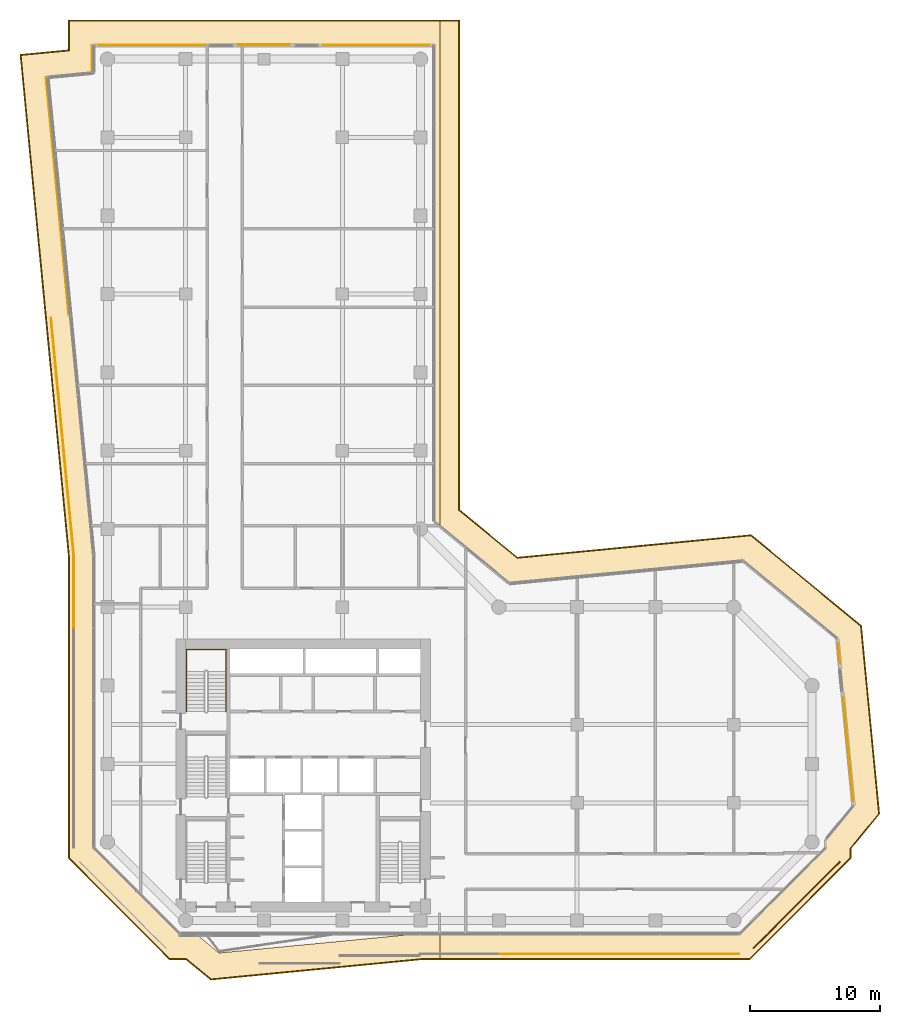
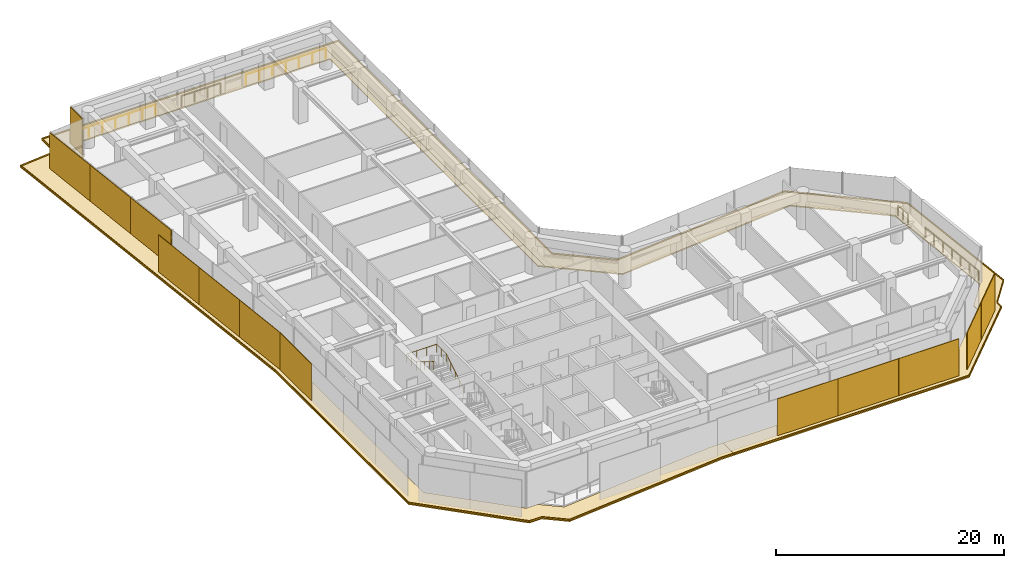
# One storey, part 28 of 28: 17 coverings, 6 railings.
"""IFC4 building model written with IfcOpenShell, lengths in metres."""

from ifc_helpers import new_model, si_unit, direction, frame, origin, origin_2d, place, context, subcontext, project, spatial, polyline, rectangle, circle, outline, extrude, material, layer, layer_set, type_object, element, save


model = new_model("IFC4")

# Units and contexts
model_context = context("Model", 3, precision=1e-05, world=origin(), true_north=direction((0.0, 1.0)))
body_context = subcontext(model_context, "Body", "Model", "MODEL_VIEW")
ifc_project = project(units=[si_unit("LENGTHUNIT", "METRE"), si_unit("AREAUNIT", "SQUARE_METRE"), si_unit("VOLUMEUNIT", "CUBIC_METRE"), si_unit("PLANEANGLEUNIT", "RADIAN"), si_unit("MASSUNIT", "GRAM", prefix="KILO")], contexts=[model_context])

# Site, building, storey
site_placement = place(None, origin())
site = spatial("IfcSite", under=ifc_project, at=site_placement, CompositionType="ELEMENT")
building_placement = place(site_placement, origin())
building = spatial("IfcBuilding", under=site, at=building_placement, Name="Welwitschia Terrace Campus", CompositionType="ELEMENT")
storey_placement = place(building_placement, frame((0.0, 0.0, 87.800048828125)))
storey = spatial("IfcBuildingStorey", under=building, at=storey_placement, Name="L19", CompositionType="ELEMENT", Elevation=87.800048828125)

# Coverings
ifc_material_1 = material(Name="Bronze mesh aluminium screen", Category="aluminium")
ifc_layer_1 = layer(ifc_material_1, 0.06005859375)
ifc_layer_set_1 = layer_set([ifc_layer_1], Name="Bronze mesh aluminium screen")
covering_type_1 = type_object("IfcCoveringType", Name="Bronze screen 60", PredefinedType="USERDEFINED", material=ifc_layer_set_1)
for number, where, z_axis, x_axis, name in (
    (1, (-4.405517578125, 65.575439453125, 0.0), (0.0, 0.0, 1.0), (0.09584575252, -0.995396198367, 0.0), "Screen L19.0.0"),
    (2, (-3.818359375, 59.476318359375, 0.0), (0.0, 0.0, 1.0), (0.09584575252, -0.995396198367, 0.0), "Screen L19.0.1"),
    (3, (-3.231201171875, 53.377197265625, 0.0), (0.0, 0.0, 1.0), (0.09584575252, -0.995396198367, 0.0), "Screen L19.0.2"),
):
    element("IfcCovering", number, at=place(storey_placement, frame(where, z_axis=z_axis, x_axis=x_axis)), inside=storey, type_object=covering_type_1, Name=name, ObjectType="SCREEN", PredefinedType="USERDEFINED", context=body_context, shape_type="SweptSolid", body=[
        extrude(rectangle(XDim=6.107421875, YDim=0.06005859375, at=origin_2d()), origin(), (0.0, 0.0, 1.0), 3.85009765625),
    ])
for number, where, z_axis, x_axis, name in (
    (4, (-4.033447265625, 47.144287109375, 0.0), (0.0, 0.0, 1.0), (0.09584575252, -0.995396198367, 0.0), "Screen L19.0.3"),
    (5, (-3.446044921875, 41.044921875, 0.0), (0.0, 0.0, 1.0), (0.09584575252, -0.995396198367, 0.0), "Screen L19.0.4"),
    (6, (-2.85888671875, 34.94580078125, 0.0), (0.0, 0.0, 1.0), (0.09584575252, -0.995396198367, 0.0), "Screen L19.0.5"),
):
    element("IfcCovering", number, at=place(storey_placement, frame(where, z_axis=z_axis, x_axis=x_axis)), inside=storey, type_object=covering_type_1, Name=name, ObjectType="SCREEN", PredefinedType="USERDEFINED", context=body_context, shape_type="SweptSolid", body=[
        extrude(rectangle(XDim=6.107421875, YDim=0.06005859375, at=origin_2d()), origin(), (0.0, 0.0, 1.0), 3.949951171875),
    ])
covering_1_placement = place(storey_placement, frame((-2.572021484375, 29.2275390625, 0.0), z_axis=(0.0, 0.0, 1.0), x_axis=(0.0, -1.0, 0.0)))
element("IfcCovering", 7, at=covering_1_placement, inside=storey, type_object=covering_type_1, Name="Screen L19.1.0", ObjectType="SCREEN", PredefinedType="USERDEFINED", context=body_context, shape_type="SweptSolid", body=[
    extrude(rectangle(XDim=5.60205078125, YDim=0.06005859375, at=origin_2d()), origin(), (0.0, 0.0, 1.0), 3.949951171875),
])
for number, where, z_axis, x_axis, name in (
    (8, (33.12841796875, 1.427978515625, 0.0), (0.0, 0.0, 1.0), (1.0, 0.0, 0.0), "Screen L19.3.4"),
    (9, (39.257080078125, 1.427978515625, 0.0), (0.0, 0.0, 1.0), (1.0, 0.0, 0.0), "Screen L19.3.5"),
    (10, (45.385498046875, 1.427978515625, 0.0), (0.0, 0.0, 1.0), (1.0, 0.0, 0.0), "Screen L19.3.6"),
):
    element("IfcCovering", number, at=place(storey_placement, frame(where, z_axis=z_axis, x_axis=x_axis)), inside=storey, type_object=covering_type_1, Name=name, ObjectType="SCREEN", PredefinedType="USERDEFINED", context=body_context, shape_type="SweptSolid", body=[
        extrude(rectangle(XDim=6.1083984375, YDim=0.06005859375, at=origin_2d()), origin(), (0.0, 0.0, 1.0), 3.949951171875),
    ])
for number, where, z_axis, x_axis, name in (
    (11, (51.15966796875, 3.522216796875, 0.0), (0.0, 0.0, 1.0), (0.707106781187, 0.707106781187, 0.0), "Screen L19.4.0"),
    (12, (54.477783203125, 6.84033203125, 0.0), (0.0, 0.0, 1.0), (0.707106781187, 0.707106781187, 0.0), "Screen L19.4.1"),
):
    element("IfcCovering", number, at=place(storey_placement, frame(where, z_axis=z_axis, x_axis=x_axis)), inside=storey, type_object=covering_type_1, Name=name, ObjectType="SCREEN", PredefinedType="USERDEFINED", context=body_context, shape_type="SweptSolid", body=[
        extrude(rectangle(XDim=4.672607421875, YDim=0.06005859375, at=origin_2d()), origin(), (0.0, 0.0, 1.0), 3.949951171875),
    ])
covering_2_placement = place(storey_placement, frame((-1.176025390625, 70.029541015625, 0.0), z_axis=(0.0, 0.0, 1.0), x_axis=(0.0, -1.0, 0.0)))
element("IfcCovering", 13, at=covering_2_placement, inside=storey, type_object=covering_type_1, Name="Screen L19.13.0", ObjectType="SCREEN", PredefinedType="USERDEFINED", context=body_context, shape_type="SweptSolid", body=[
    extrude(rectangle(XDim=2.093017578125, YDim=0.06005859375, at=origin_2d()), origin(), (0.0, 0.0, 1.0), 3.85009765625),
])

# Railings
ifc_material_2 = material(Name="Stainless steel grade 316", Category="steel")
railing_type_1 = type_object("IfcRailingType", Name="Guard 1100", PredefinedType="GUARDRAIL", material=ifc_material_2)
railing_1_placement = place(storey_placement, frame((-0.635986328125, 71.0859375, 0.0)))
element("IfcRailing", 14, at=railing_1_placement, inside=storey, type_object=railing_type_1, Name="Guard floor edge L19.0", PredefinedType="GUARDRAIL", context=body_context, shape_type="SweptSolid", body=[
    extrude(circle(Radius=0.02392578125, at=origin_2d()), frame((0.0, 0.0, 1.076171875), z_axis=(1.0, 0.0, 0.0), x_axis=(0.0, 1.0, 0.0)), (0.0, 0.0, 1.0), 8.064697265625),
    extrude(circle(Radius=0.02099609375, at=origin_2d()), origin(), (0.0, 0.0, 1.0), 1.052001953125),
    extrude(circle(Radius=0.02099609375, at=origin_2d()), frame((1.34423828125, 0.0, 0.0)), (0.0, 0.0, 1.0), 1.052001953125),
    extrude(circle(Radius=0.02099609375, at=origin_2d()), frame((2.688232421875, 0.0, 0.0)), (0.0, 0.0, 1.0), 1.052001953125),
    extrude(circle(Radius=0.02099609375, at=origin_2d()), frame((4.0322265625, 0.0, 0.0)), (0.0, 0.0, 1.0), 1.052001953125),
    extrude(circle(Radius=0.02099609375, at=origin_2d()), frame((5.37646484375, 0.0, 0.0)), (0.0, 0.0, 1.0), 1.052001953125),
    extrude(circle(Radius=0.02099609375, at=origin_2d()), frame((6.720703125, 0.0, 0.0)), (0.0, 0.0, 1.0), 1.052001953125),
    extrude(circle(Radius=0.02099609375, at=origin_2d()), frame((8.064697265625, 0.0, 0.0)), (0.0, 0.0, 1.0), 1.052001953125),
])
railing_2_placement = place(storey_placement, frame((10.0283203125, 71.0859375, 0.0)))
element("IfcRailing", 15, at=railing_2_placement, inside=storey, type_object=railing_type_1, Name="Guard floor edge L19.2", PredefinedType="GUARDRAIL", context=body_context, shape_type="SweptSolid", body=[
    extrude(circle(Radius=0.02392578125, at=origin_2d()), frame((0.0, 0.0, 1.076171875), z_axis=(1.0, 0.0, 0.0), x_axis=(0.0, 1.0, 0.0)), (0.0, 0.0, 1.0), 3.943359375),
    extrude(circle(Radius=0.02099609375, at=origin_2d()), origin(), (0.0, 0.0, 1.0), 1.052001953125),
    extrude(circle(Radius=0.02099609375, at=origin_2d()), frame((1.314453125, 0.0, 0.0)), (0.0, 0.0, 1.0), 1.052001953125),
    extrude(circle(Radius=0.02099609375, at=origin_2d()), frame((2.62890625, 0.0, 0.0)), (0.0, 0.0, 1.0), 1.052001953125),
    extrude(circle(Radius=0.02099609375, at=origin_2d()), frame((3.943359375, 0.0, 0.0)), (0.0, 0.0, 1.0), 1.052001953125),
])
railing_3_placement = place(storey_placement, frame((16.5712890625, 71.0859375, 0.0)))
element("IfcRailing", 16, at=railing_3_placement, inside=storey, type_object=railing_type_1, Name="Guard floor edge L19.3", PredefinedType="GUARDRAIL", context=body_context, shape_type="SweptSolid", body=[
    extrude(circle(Radius=0.02392578125, at=origin_2d()), frame((0.0, 0.0, 1.076171875), z_axis=(1.0, 0.0, 0.0), x_axis=(0.0, 1.0, 0.0)), (0.0, 0.0, 1.0), 8.064697265625),
    extrude(circle(Radius=0.02099609375, at=origin_2d()), origin(), (0.0, 0.0, 1.0), 1.052001953125),
    extrude(circle(Radius=0.02099609375, at=origin_2d()), frame((1.34423828125, 0.0, 0.0)), (0.0, 0.0, 1.0), 1.052001953125),
    extrude(circle(Radius=0.02099609375, at=origin_2d()), frame((2.688232421875, 0.0, 0.0)), (0.0, 0.0, 1.0), 1.052001953125),
    extrude(circle(Radius=0.02099609375, at=origin_2d()), frame((4.0322265625, 0.0, 0.0)), (0.0, 0.0, 1.0), 1.052001953125),
    extrude(circle(Radius=0.02099609375, at=origin_2d()), frame((5.37646484375, 0.0, 0.0)), (0.0, 0.0, 1.0), 1.052001953125),
    extrude(circle(Radius=0.02099609375, at=origin_2d()), frame((6.720703125, 0.0, 0.0)), (0.0, 0.0, 1.0), 1.052001953125),
    extrude(circle(Radius=0.02099609375, at=origin_2d()), frame((8.064697265625, 0.0, 0.0)), (0.0, 0.0, 1.0), 1.052001953125),
])
railing_4_placement = place(storey_placement, frame((56.003662109375, 25.20751953125, 0.0)))
element("IfcRailing", 17, at=railing_4_placement, inside=storey, type_object=railing_type_1, Name="Guard floor edge L19.4", PredefinedType="GUARDRAIL", context=body_context, shape_type="SweptSolid", body=[
    extrude(circle(Radius=0.02392578125, at=origin_2d()), frame((0.0, 0.0, 1.076171875), z_axis=(0.095858773594, -0.995394944494, 0.0), x_axis=(0.995394944494, 0.095858773594, 0.0)), (0.0, 0.0, 1.0), 1.525634765625),
    extrude(circle(Radius=0.02099609375, at=origin_2d()), origin(), (0.0, 0.0, 1.0), 1.052001953125),
    extrude(circle(Radius=0.02099609375, at=origin_2d()), frame((0.0732421875, -0.75927734375, 0.0)), (0.0, 0.0, 1.0), 1.052001953125),
    extrude(circle(Radius=0.02099609375, at=origin_2d()), frame((0.146240234375, -1.5185546875, 0.0)), (0.0, 0.0, 1.0), 1.052001953125),
])
railing_5_placement = place(storey_placement, frame((56.39892578125, 21.1015625, 0.0)))
element("IfcRailing", 18, at=railing_5_placement, inside=storey, type_object=railing_type_1, Name="Guard floor edge L19.5", PredefinedType="GUARDRAIL", context=body_context, shape_type="SweptSolid", body=[
    extrude(circle(Radius=0.02392578125, at=origin_2d()), frame((0.0, 0.0, 1.076171875), z_axis=(0.095844812879, -0.995396288844, 0.0), x_axis=(0.995396288844, 0.095844812879, 0.0)), (0.0, 0.0, 1.0), 7.975341796875),
    extrude(circle(Radius=0.02099609375, at=origin_2d()), origin(), (0.0, 0.0, 1.0), 1.052001953125),
    extrude(circle(Radius=0.02099609375, at=origin_2d()), frame((0.12744140625, -1.3232421875, 0.0)), (0.0, 0.0, 1.0), 1.052001953125),
    extrude(circle(Radius=0.02099609375, at=origin_2d()), frame((0.2548828125, -2.646240234375, 0.0)), (0.0, 0.0, 1.0), 1.052001953125),
    extrude(circle(Radius=0.02099609375, at=origin_2d()), frame((0.38232421875, -3.96923828125, 0.0)), (0.0, 0.0, 1.0), 1.052001953125),
    extrude(circle(Radius=0.02099609375, at=origin_2d()), frame((0.509521484375, -5.29248046875, 0.0)), (0.0, 0.0, 1.0), 1.052001953125),
    extrude(circle(Radius=0.02099609375, at=origin_2d()), frame((0.636962890625, -6.61572265625, 0.0)), (0.0, 0.0, 1.0), 1.052001953125),
    extrude(circle(Radius=0.02099609375, at=origin_2d()), frame((0.764404296875, -7.938720703125, 0.0)), (0.0, 0.0, 1.0), 1.052001953125),
])
ifc_material_3 = material(Name="Steel S355", Category="steel")
railing_type_2 = type_object("IfcRailingType", Name="Stair handrail 900", PredefinedType="HANDRAIL", material=ifc_material_3)
railing_6_placement = place(storey_placement, frame((9.10009765625, 20.0, 0.175048828125)))
element("IfcRailing", 19, at=railing_6_placement, inside=storey, type_object=railing_type_2, Name="L19 S4 stair handrail", PredefinedType="HANDRAIL", context=body_context, shape_type="SweptSolid", body=[
    extrude(circle(Radius=0.02392578125, at=origin_2d()), frame((0.0, 0.0, 0.8759765625), z_axis=(0.0, 0.848028513186, 0.529950602248), x_axis=(-1.0, 0.0, 0.0)), (0.0, 0.0, 1.0), 3.632080078125),
    extrude(circle(Radius=0.02392578125, at=origin_2d()), frame((0.0, 3.080078125, 2.80078125), z_axis=(0.0, 1.0, 0.0), x_axis=(-1.0, 0.0, 0.0)), (0.0, 0.0, 1.0), 1.669921875),
    extrude(circle(Radius=0.02392578125, at=origin_2d()), frame((0.0, 4.75, 2.80078125), z_axis=(-1.0, 0.0, 0.0), x_axis=(0.0, -1.0, 0.0)), (0.0, 0.0, 1.0), 3.050048828125),
    extrude(circle(Radius=0.02392578125, at=origin_2d()), frame((-3.050048828125, 4.75, 2.80078125), z_axis=(0.0, -0.99455077262, 0.104253348533), x_axis=(1.0, 0.0, 0.0)), (0.0, 0.0, 1.0), 1.678955078125),
    extrude(circle(Radius=0.02392578125, at=origin_2d()), frame((-3.050048828125, 3.080078125, 2.9755859375), z_axis=(0.0, -0.847998304005, 0.529998940003), x_axis=(1.0, 0.0, 0.0)), (0.0, 0.0, 1.0), 3.632080078125),
    extrude(circle(Radius=0.02099609375, at=origin_2d()), origin(), (0.0, 0.0, 1.0), 0.851806640625),
    extrude(circle(Radius=0.02099609375, at=origin_2d()), frame((0.0, 0.77001953125, 0.481201171875)), (0.0, 0.0, 1.0), 0.851806640625),
    extrude(circle(Radius=0.02099609375, at=origin_2d()), frame((0.0, 1.5400390625, 0.96240234375)), (0.0, 0.0, 1.0), 0.851806640625),
    extrude(circle(Radius=0.02099609375, at=origin_2d()), frame((0.0, 2.31005859375, 1.443603515625)), (0.0, 0.0, 1.0), 0.851806640625),
    extrude(circle(Radius=0.02099609375, at=origin_2d()), frame((0.0, 3.080078125, 1.9248046875)), (0.0, 0.0, 1.0), 0.851806640625),
    extrude(circle(Radius=0.02099609375, at=origin_2d()), frame((0.0, 3.9150390625, 1.9248046875)), (0.0, 0.0, 1.0), 0.851806640625),
    extrude(circle(Radius=0.02099609375, at=origin_2d()), frame((0.0, 4.75, 1.9248046875)), (0.0, 0.0, 1.0), 0.851806640625),
    extrude(circle(Radius=0.02099609375, at=origin_2d()), frame((-1.0166015625, 4.75, 1.9248046875)), (0.0, 0.0, 1.0), 0.851806640625),
    extrude(circle(Radius=0.02099609375, at=origin_2d()), frame((-2.033447265625, 4.75, 1.9248046875)), (0.0, 0.0, 1.0), 0.851806640625),
    extrude(circle(Radius=0.02099609375, at=origin_2d()), frame((-3.050048828125, 4.75, 1.9248046875)), (0.0, 0.0, 1.0), 0.851806640625),
    extrude(circle(Radius=0.02099609375, at=origin_2d()), frame((-3.050048828125, 3.9150390625, 2.01220703125)), (0.0, 0.0, 1.0), 0.851806640625),
    extrude(circle(Radius=0.02099609375, at=origin_2d()), frame((-3.050048828125, 3.080078125, 2.099853515625)), (0.0, 0.0, 1.0), 0.851806640625),
    extrude(circle(Radius=0.02099609375, at=origin_2d()), frame((-3.050048828125, 2.31005859375, 2.5810546875)), (0.0, 0.0, 1.0), 0.851806640625),
    extrude(circle(Radius=0.02099609375, at=origin_2d()), frame((-3.050048828125, 1.5400390625, 3.0625)), (0.0, 0.0, 1.0), 0.851806640625),
    extrude(circle(Radius=0.02099609375, at=origin_2d()), frame((-3.050048828125, 0.77001953125, 3.543701171875)), (0.0, 0.0, 1.0), 0.851806640625),
    extrude(circle(Radius=0.02099609375, at=origin_2d()), frame((-3.050048828125, 0.0, 4.02490234375)), (0.0, 0.0, 1.0), 0.851806640625),
])

# Coverings
ifc_material_4 = material(Name="Bronze anodised aluminium", Category="aluminium")
ifc_layer_2 = layer(ifc_material_4, 0.1201171875)
ifc_layer_set_2 = layer_set([ifc_layer_2], Name="Bronze anodised aluminium")
covering_type_2 = type_object("IfcCoveringType", Name="Sunshade band 2000", PredefinedType="USERDEFINED", material=ifc_layer_set_2)
covering_3_placement = place(storey_placement, frame((0.0, 0.0, -0.25)))
element("IfcCovering", 20, at=covering_3_placement, inside=storey, type_object=covering_type_2, Name="SUNSHADE L19.SW0", ObjectType="SUNSHADE", PredefinedType="USERDEFINED", context=body_context, shape_type="SweptSolid", body=[
    extrude(outline(polyline([(-3.0, 73.0), (25.484130859375, 73.0), (25.484130859375, 34.12548828125), (25.0, 34.524658203125), (25.0, 71.0), (-1.0, 71.0), (-1.0, 68.89501953125), (-4.515869140625, 68.556396484375), (-1.0, 32.042724609375), (-1.0, 9.585693359375), (5.585693359375, 3.0), (6.73828125, 3.0), (8.55712890625, 1.50048828125), (24.128662109375, 3.0), (25.484130859375, 3.0), (25.484130859375, 1.0), (24.224609375, 1.0), (7.92431640625, -0.569580078125), (6.020263671875, 1.0), (4.75732421875, 1.0), (-3.0, 8.75732421875), (-3.0, 31.94677734375), (-6.6982421875, 70.35546875), (-3.0, 70.711669921875), (-3.0, 73.0)])), origin(), (0.0, 0.0, 1.0), 0.119873046875),
])
covering_4_placement = place(storey_placement, frame((0.0, 0.0, -0.25)))
element("IfcCovering", 21, at=covering_4_placement, inside=storey, type_object=covering_type_2, Name="SUNSHADE L19.SE0", ObjectType="SUNSHADE", PredefinedType="USERDEFINED", context=body_context, shape_type="SweptSolid", body=[
    extrude(outline(polyline([(27.0, 73.0), (27.0, 35.468017578125), (31.412109375, 31.830810546875), (49.329345703125, 33.55615234375), (57.79443359375, 26.577880859375), (59.182861328125, 12.1591796875), (57.0, 9.511474609375), (57.0, 8.75732421875), (49.24267578125, 1.0), (25.484130859375, 1.0), (25.484130859375, 3.0), (48.414306640625, 3.0), (55.0, 9.585693359375), (55.0, 10.2294921875), (57.112548828125, 12.792236328125), (55.883056640625, 25.5615234375), (48.6962890625, 31.48583984375), (30.779296875, 29.760498046875), (25.484130859375, 34.12548828125), (25.484130859375, 73.0), (27.0, 73.0)])), origin(), (0.0, 0.0, 1.0), 0.119873046875),
])
ifc_material_5 = material(Name="Bronze anodised aluminium", Category="aluminium")
ifc_layer_3 = layer(ifc_material_5, 0.06005859375)
ifc_layer_set_3 = layer_set([ifc_layer_3], Name="Bronze anodised aluminium")
covering_type_3 = type_object("IfcCoveringType", Name="Sunshade lip 60", PredefinedType="USERDEFINED", material=ifc_layer_set_3)
covering_5_placement = place(storey_placement, frame((0.0, 0.0, -0.130126953125)))
element("IfcCovering", 22, at=covering_5_placement, inside=storey, type_object=covering_type_3, Name="SUNSHADE LIP L19.SW0.0", ObjectType="SUNSHADE", PredefinedType="USERDEFINED", context=body_context, shape_type="SweptSolid", body=[
    extrude(outline(polyline([(25.484130859375, 73.0), (25.484130859375, 72.93994140625), (-2.93994140625, 72.93994140625), (-2.93994140625, 70.656982421875), (-6.6328125, 70.301513671875), (-2.93994140625, 31.94970703125), (-2.93994140625, 8.7822265625), (4.7822265625, 1.06005859375), (6.041748046875, 1.06005859375), (7.943115234375, -0.50732421875), (24.2216796875, 1.06005859375), (25.484130859375, 1.06005859375), (25.484130859375, 1.0), (24.224609375, 1.0), (7.92431640625, -0.569580078125), (6.020263671875, 1.0), (4.75732421875, 1.0), (-3.0, 8.75732421875), (-3.0, 31.94677734375), (-6.6982421875, 70.35546875), (-3.0, 70.711669921875), (-3.0, 73.0), (25.484130859375, 73.0)])), origin(), (0.0, 0.0, 1.0), 0.130126953125),
])
covering_6_placement = place(storey_placement, frame((0.0, 0.0, -0.130126953125)))
element("IfcCovering", 23, at=covering_6_placement, inside=storey, type_object=covering_type_3, Name="SUNSHADE LIP L19.SE0.0", ObjectType="SUNSHADE", PredefinedType="USERDEFINED", context=body_context, shape_type="SweptSolid", body=[
    extrude(outline(polyline([(27.0, 35.468017578125), (31.412109375, 31.830810546875), (49.329345703125, 33.55615234375), (57.79443359375, 26.577880859375), (59.182861328125, 12.1591796875), (57.0, 9.511474609375), (57.0, 8.75732421875), (49.24267578125, 1.0), (25.484130859375, 1.0), (25.484130859375, 1.06005859375), (49.2177734375, 1.06005859375), (56.93994140625, 8.7822265625), (56.93994140625, 9.532958984375), (59.12060546875, 12.17822265625), (57.737060546875, 26.54736328125), (49.310302734375, 33.493896484375), (31.393310546875, 31.768798828125), (26.93994140625, 35.439697265625), (26.93994140625, 72.93994140625), (25.484130859375, 72.93994140625), (25.484130859375, 73.0), (27.0, 73.0), (27.0, 35.468017578125)])), origin(), (0.0, 0.0, 1.0), 0.130126953125),
])

save(model, "model.ifc")
